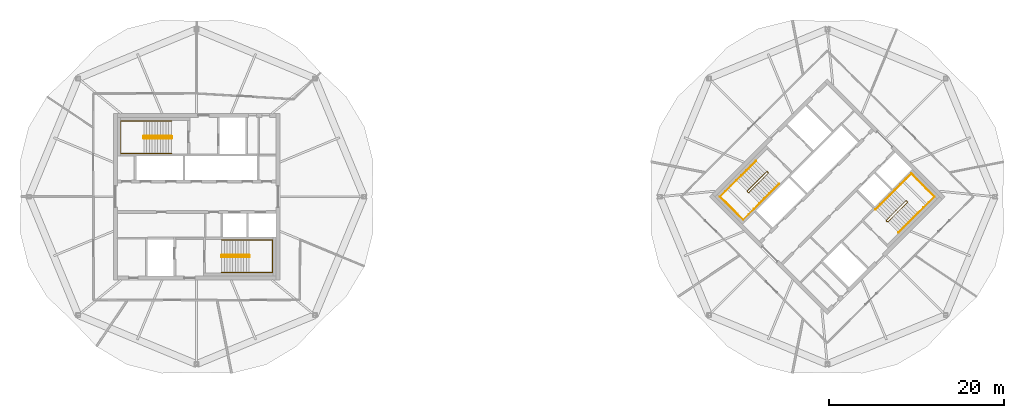
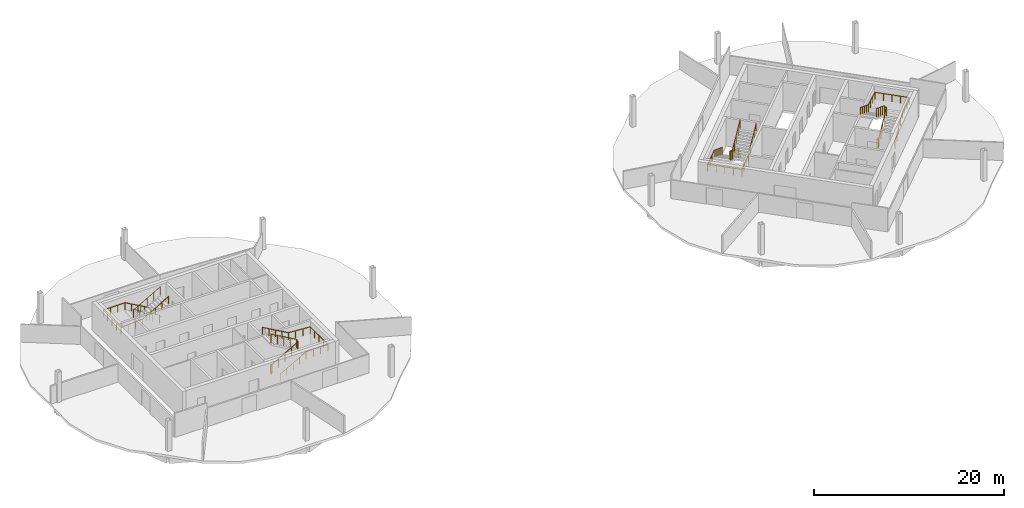
# One storey, part 10 of 10: 8 railings.
"""IFC4 building model written with IfcOpenShell, lengths in metres."""

from ifc_helpers import new_model, si_unit, direction, frame, origin, origin_2d, place, context, subcontext, project, spatial, circle, extrude, material, type_object, element, save


model = new_model("IFC4")

# Units and contexts
model_context = context("Model", 3, precision=1e-05, world=origin(), true_north=direction((0.0, 1.0)))
body_context = subcontext(model_context, "Body", "Model", "MODEL_VIEW")
ifc_project = project(units=[si_unit("LENGTHUNIT", "METRE"), si_unit("AREAUNIT", "SQUARE_METRE"), si_unit("VOLUMEUNIT", "CUBIC_METRE"), si_unit("PLANEANGLEUNIT", "RADIAN"), si_unit("MASSUNIT", "GRAM", prefix="KILO")], contexts=[model_context])

# Site, building, storey
site_placement = place(None, origin())
site = spatial("IfcSite", under=ifc_project, at=site_placement, CompositionType="ELEMENT")
building_placement = place(site_placement, origin())
building = spatial("IfcBuilding", under=site, at=building_placement, Name="Ogive Gate Towers", CompositionType="ELEMENT")
storey_placement = place(building_placement, frame((0.0, 0.0, 232.800048828125)))
storey = spatial("IfcBuildingStorey", under=building, at=storey_placement, Name="L55", CompositionType="ELEMENT", Elevation=232.800048828125)

# Railings
ifc_material = material(Name="Stainless steel", Category="steel")
railing_type_1 = type_object("IfcRailingType", Name="Stair guard 1100", PredefinedType="GUARDRAIL", material=ifc_material)
railing_1_placement = place(storey_placement, frame((-38.81494140625, 6.860107421875, 0.0)))
element("IfcRailing", 1, at=railing_1_placement, inside=storey, type_object=railing_type_1, Name="L55 ST1 stair guard 1", PredefinedType="GUARDRAIL", context=body_context, shape_type="SweptSolid", body=[
    extrude(circle(Radius=0.02392578125, at=origin_2d()), frame((0.0, 0.0, 1.076171875), z_axis=(0.0, -1.0, 0.0), x_axis=(1.0, 0.0, 0.0)), (0.0, 0.0, 1.0), 0.14501953125),
    extrude(circle(Radius=0.02392578125, at=origin_2d()), frame((0.0, -0.14501953125, 1.076171875), z_axis=(-0.186679794065, 0.726685247142, 0.661119660934), x_axis=(-0.968551454522, -0.24881334358, 0.0)), (0.0, 0.0, 1.0), 0.26806640625),
    extrude(circle(Radius=0.02392578125, at=origin_2d()), frame((-0.050048828125, 0.0498046875, 1.25341796875), z_axis=(-0.870572935281, 0.0, 0.492039393094), x_axis=(0.0, -1.0, 0.0)), (0.0, 0.0, 1.0), 3.602783203125),
    extrude(circle(Radius=0.02392578125, at=origin_2d()), frame((-3.1865234375, 0.0498046875, 3.02587890625), z_axis=(-0.707106781187, -0.707106781187, 0.0), x_axis=(0.707106781187, -0.707106781187, 0.0)), (0.0, 0.0, 1.0), 0.0703125),
    extrude(circle(Radius=0.02392578125, at=origin_2d()), frame((-3.236328125, 0.0, 3.02587890625), z_axis=(0.0, -1.0, 0.0), x_axis=(1.0, 0.0, 0.0)), (0.0, 0.0, 1.0), 0.14501953125),
    extrude(circle(Radius=0.02392578125, at=origin_2d()), frame((-3.236328125, -0.14501953125, 3.02587890625), z_axis=(0.261041864531, -0.262321481514, 0.929001929653), x_axis=(0.708833529934, 0.705375805398, 0.0)), (0.0, 0.0, 1.0), 0.190673828125),
    extrude(circle(Radius=0.02392578125, at=origin_2d()), frame((-3.1865234375, -0.195068359375, 3.203125), z_axis=(0.870572935281, 0.0, 0.492039393094), x_axis=(0.0, 1.0, 0.0)), (0.0, 0.0, 1.0), 3.602783203125),
    extrude(circle(Radius=0.02099609375, at=origin_2d()), origin(), (0.0, 0.0, 1.0), 1.052001953125),
    extrude(circle(Radius=0.02099609375, at=origin_2d()), frame((0.0, -0.14501953125, 0.0)), (0.0, 0.0, 1.0), 1.052001953125),
    extrude(circle(Radius=0.02099609375, at=origin_2d()), frame((-0.050048828125, 0.0498046875, 0.17724609375)), (0.0, 0.0, 1.0), 1.052001953125),
    extrude(circle(Radius=0.02099609375, at=origin_2d()), frame((-0.834228515625, 0.0498046875, 0.620361328125)), (0.0, 0.0, 1.0), 1.052001953125),
    extrude(circle(Radius=0.02099609375, at=origin_2d()), frame((-1.6181640625, 0.0498046875, 1.0634765625)), (0.0, 0.0, 1.0), 1.052001953125),
    extrude(circle(Radius=0.02099609375, at=origin_2d()), frame((-2.40234375, 0.0498046875, 1.5068359375)), (0.0, 0.0, 1.0), 1.052001953125),
    extrude(circle(Radius=0.02099609375, at=origin_2d()), frame((-3.1865234375, 0.0498046875, 1.949951171875)), (0.0, 0.0, 1.0), 1.052001953125),
    extrude(circle(Radius=0.02099609375, at=origin_2d()), frame((-3.236328125, 0.0, 1.949951171875)), (0.0, 0.0, 1.0), 1.052001953125),
    extrude(circle(Radius=0.02099609375, at=origin_2d()), frame((-3.236328125, -0.14501953125, 1.949951171875)), (0.0, 0.0, 1.0), 1.052001953125),
    extrude(circle(Radius=0.02099609375, at=origin_2d()), frame((-3.1865234375, -0.195068359375, 2.127197265625)), (0.0, 0.0, 1.0), 1.052001953125),
    extrude(circle(Radius=0.02099609375, at=origin_2d()), frame((-2.40234375, -0.195068359375, 2.5703125)), (0.0, 0.0, 1.0), 1.052001953125),
    extrude(circle(Radius=0.02099609375, at=origin_2d()), frame((-1.6181640625, -0.195068359375, 3.013671875)), (0.0, 0.0, 1.0), 1.052001953125),
    extrude(circle(Radius=0.02099609375, at=origin_2d()), frame((-0.834228515625, -0.195068359375, 3.456787109375)), (0.0, 0.0, 1.0), 1.052001953125),
    extrude(circle(Radius=0.02099609375, at=origin_2d()), frame((-0.050048828125, -0.195068359375, 3.89990234375)), (0.0, 0.0, 1.0), 1.052001953125),
])
railing_2_placement = place(storey_placement, frame((-33.18505859375, -6.860107421875, 0.0)))
element("IfcRailing", 2, at=railing_2_placement, inside=storey, type_object=railing_type_1, Name="L55 ST2 stair guard 1", PredefinedType="GUARDRAIL", context=body_context, shape_type="SweptSolid", body=[
    extrude(circle(Radius=0.02392578125, at=origin_2d()), frame((0.0, 0.0, 1.076171875), z_axis=(0.0, 1.0, 0.0), x_axis=(-1.0, 0.0, 0.0)), (0.0, 0.0, 1.0), 0.14501953125),
    extrude(circle(Radius=0.02392578125, at=origin_2d()), frame((0.0, 0.14501953125, 1.076171875), z_axis=(0.186679794065, -0.726685247142, 0.661119660934), x_axis=(0.968551454522, 0.24881334358, 0.0)), (0.0, 0.0, 1.0), 0.26806640625),
    extrude(circle(Radius=0.02392578125, at=origin_2d()), frame((0.050048828125, -0.0498046875, 1.25341796875), z_axis=(0.870572935281, 0.0, 0.492039393094), x_axis=(0.0, 1.0, 0.0)), (0.0, 0.0, 1.0), 3.602783203125),
    extrude(circle(Radius=0.02392578125, at=origin_2d()), frame((3.1865234375, -0.0498046875, 3.02587890625), z_axis=(0.707106781187, 0.707106781187, 0.0), x_axis=(-0.707106781187, 0.707106781187, 0.0)), (0.0, 0.0, 1.0), 0.0703125),
    extrude(circle(Radius=0.02392578125, at=origin_2d()), frame((3.236328125, 0.0, 3.02587890625), z_axis=(0.0, 1.0, 0.0), x_axis=(-1.0, 0.0, 0.0)), (0.0, 0.0, 1.0), 0.14501953125),
    extrude(circle(Radius=0.02392578125, at=origin_2d()), frame((3.236328125, 0.14501953125, 3.02587890625), z_axis=(-0.261041864531, 0.262321481514, 0.929001929653), x_axis=(-0.708833529934, -0.705375805398, 0.0)), (0.0, 0.0, 1.0), 0.190673828125),
    extrude(circle(Radius=0.02392578125, at=origin_2d()), frame((3.1865234375, 0.195068359375, 3.203125), z_axis=(-0.870572935281, 0.0, 0.492039393094), x_axis=(0.0, -1.0, 0.0)), (0.0, 0.0, 1.0), 3.602783203125),
    extrude(circle(Radius=0.02099609375, at=origin_2d()), origin(), (0.0, 0.0, 1.0), 1.052001953125),
    extrude(circle(Radius=0.02099609375, at=origin_2d()), frame((0.0, 0.14501953125, 0.0)), (0.0, 0.0, 1.0), 1.052001953125),
    extrude(circle(Radius=0.02099609375, at=origin_2d()), frame((0.050048828125, -0.0498046875, 0.17724609375)), (0.0, 0.0, 1.0), 1.052001953125),
    extrude(circle(Radius=0.02099609375, at=origin_2d()), frame((0.834228515625, -0.0498046875, 0.620361328125)), (0.0, 0.0, 1.0), 1.052001953125),
    extrude(circle(Radius=0.02099609375, at=origin_2d()), frame((1.6181640625, -0.0498046875, 1.0634765625)), (0.0, 0.0, 1.0), 1.052001953125),
    extrude(circle(Radius=0.02099609375, at=origin_2d()), frame((2.40234375, -0.0498046875, 1.5068359375)), (0.0, 0.0, 1.0), 1.052001953125),
    extrude(circle(Radius=0.02099609375, at=origin_2d()), frame((3.1865234375, -0.0498046875, 1.949951171875)), (0.0, 0.0, 1.0), 1.052001953125),
    extrude(circle(Radius=0.02099609375, at=origin_2d()), frame((3.236328125, 0.0, 1.949951171875)), (0.0, 0.0, 1.0), 1.052001953125),
    extrude(circle(Radius=0.02099609375, at=origin_2d()), frame((3.236328125, 0.14501953125, 1.949951171875)), (0.0, 0.0, 1.0), 1.052001953125),
    extrude(circle(Radius=0.02099609375, at=origin_2d()), frame((3.1865234375, 0.195068359375, 2.127197265625)), (0.0, 0.0, 1.0), 1.052001953125),
    extrude(circle(Radius=0.02099609375, at=origin_2d()), frame((2.40234375, 0.195068359375, 2.5703125)), (0.0, 0.0, 1.0), 1.052001953125),
    extrude(circle(Radius=0.02099609375, at=origin_2d()), frame((1.6181640625, 0.195068359375, 3.013671875)), (0.0, 0.0, 1.0), 1.052001953125),
    extrude(circle(Radius=0.02099609375, at=origin_2d()), frame((0.834228515625, 0.195068359375, 3.456787109375)), (0.0, 0.0, 1.0), 1.052001953125),
    extrude(circle(Radius=0.02099609375, at=origin_2d()), frame((0.050048828125, 0.195068359375, 3.89990234375)), (0.0, 0.0, 1.0), 1.052001953125),
])
railing_3_placement = place(storey_placement, frame((29.15869140625, 2.8603515625, 0.0)))
element("IfcRailing", 3, at=railing_3_placement, inside=storey, type_object=railing_type_1, Name="L55 ST1 stair guard 1", PredefinedType="GUARDRAIL", context=body_context, shape_type="SweptSolid", body=[
    extrude(circle(Radius=0.02392578125, at=origin_2d()), frame((0.0, 0.0, 1.076171875), z_axis=(0.707106781187, -0.707106781187, 0.0), x_axis=(0.707106781187, 0.707106781187, 0.0)), (0.0, 0.0, 1.0), 0.14501953125),
    extrude(circle(Radius=0.02392578125, at=origin_2d()), frame((0.1025390625, -0.1025390625, 1.076171875), z_axis=(-0.645571447971, 0.382425963537, 0.661050594114), x_axis=(-0.509669330572, -0.860370369942, 0.0)), (0.0, 0.0, 1.0), 0.26806640625),
    extrude(circle(Radius=0.02392578125, at=origin_2d()), frame((-0.070556640625, 0.0, 1.25341796875), z_axis=(-0.61558473135, -0.61558473135, 0.49204763698), x_axis=(0.707106781187, -0.707106781187, 0.0)), (0.0, 0.0, 1.0), 3.602783203125),
    extrude(circle(Radius=0.02392578125, at=origin_2d()), frame((-2.288330078125, -2.2177734375, 3.02587890625), z_axis=(0.0, -1.0, 0.0), x_axis=(1.0, 0.0, 0.0)), (0.0, 0.0, 1.0), 0.07080078125),
    extrude(circle(Radius=0.02392578125, at=origin_2d()), frame((-2.288330078125, -2.28857421875, 3.02587890625), z_axis=(0.707106781187, -0.707106781187, 0.0), x_axis=(0.707106781187, 0.707106781187, 0.0)), (0.0, 0.0, 1.0), 0.14501953125),
    extrude(circle(Radius=0.02392578125, at=origin_2d()), frame((-2.185791015625, -2.39111328125, 3.02587890625), z_axis=(0.369845645421, 0.0, 0.929093213065), x_axis=(0.0, 1.0, 0.0)), (0.0, 0.0, 1.0), 0.190673828125),
    extrude(circle(Radius=0.02392578125, at=origin_2d()), frame((-2.115234375, -2.39111328125, 3.203125), z_axis=(0.61558473135, 0.61558473135, 0.49204763698), x_axis=(-0.707106781187, 0.707106781187, 0.0)), (0.0, 0.0, 1.0), 3.602783203125),
    extrude(circle(Radius=0.02099609375, at=origin_2d()), origin(), (0.0, 0.0, 1.0), 1.052001953125),
    extrude(circle(Radius=0.02099609375, at=origin_2d()), frame((0.1025390625, -0.1025390625, 0.0)), (0.0, 0.0, 1.0), 1.052001953125),
    extrude(circle(Radius=0.02099609375, at=origin_2d()), frame((-0.070556640625, 0.0, 0.17724609375)), (0.0, 0.0, 1.0), 1.052001953125),
    extrude(circle(Radius=0.02099609375, at=origin_2d()), frame((-0.625, -0.554443359375, 0.620361328125)), (0.0, 0.0, 1.0), 1.052001953125),
    extrude(circle(Radius=0.02099609375, at=origin_2d()), frame((-1.179443359375, -1.10888671875, 1.0634765625)), (0.0, 0.0, 1.0), 1.052001953125),
    extrude(circle(Radius=0.02099609375, at=origin_2d()), frame((-1.73388671875, -1.663330078125, 1.5068359375)), (0.0, 0.0, 1.0), 1.052001953125),
    extrude(circle(Radius=0.02099609375, at=origin_2d()), frame((-2.288330078125, -2.2177734375, 1.949951171875)), (0.0, 0.0, 1.0), 1.052001953125),
    extrude(circle(Radius=0.02099609375, at=origin_2d()), frame((-2.288330078125, -2.28857421875, 1.949951171875)), (0.0, 0.0, 1.0), 1.052001953125),
    extrude(circle(Radius=0.02099609375, at=origin_2d()), frame((-2.185791015625, -2.39111328125, 1.949951171875)), (0.0, 0.0, 1.0), 1.052001953125),
    extrude(circle(Radius=0.02099609375, at=origin_2d()), frame((-2.115234375, -2.39111328125, 2.127197265625)), (0.0, 0.0, 1.0), 1.052001953125),
    extrude(circle(Radius=0.02099609375, at=origin_2d()), frame((-1.560791015625, -1.836669921875, 2.5703125)), (0.0, 0.0, 1.0), 1.052001953125),
    extrude(circle(Radius=0.02099609375, at=origin_2d()), frame((-1.00634765625, -1.2822265625, 3.013671875)), (0.0, 0.0, 1.0), 1.052001953125),
    extrude(circle(Radius=0.02099609375, at=origin_2d()), frame((-0.451904296875, -0.727783203125, 3.456787109375)), (0.0, 0.0, 1.0), 1.052001953125),
    extrude(circle(Radius=0.02099609375, at=origin_2d()), frame((0.1025390625, -0.17333984375, 3.89990234375)), (0.0, 0.0, 1.0), 1.052001953125),
])
railing_4_placement = place(storey_placement, frame((42.84130859375, -2.8603515625, 0.0)))
element("IfcRailing", 4, at=railing_4_placement, inside=storey, type_object=railing_type_1, Name="L55 ST2 stair guard 1", PredefinedType="GUARDRAIL", context=body_context, shape_type="SweptSolid", body=[
    extrude(circle(Radius=0.02392578125, at=origin_2d()), frame((0.0, 0.0, 1.076171875), z_axis=(-0.707106781187, 0.707106781187, 0.0), x_axis=(-0.707106781187, -0.707106781187, 0.0)), (0.0, 0.0, 1.0), 0.14501953125),
    extrude(circle(Radius=0.02392578125, at=origin_2d()), frame((-0.1025390625, 0.1025390625, 1.076171875), z_axis=(0.645571447971, -0.382425963537, 0.661050594114), x_axis=(0.509669330572, 0.860370369942, 0.0)), (0.0, 0.0, 1.0), 0.26806640625),
    extrude(circle(Radius=0.02392578125, at=origin_2d()), frame((0.070556640625, 0.0, 1.25341796875), z_axis=(0.61558473135, 0.61558473135, 0.49204763698), x_axis=(-0.707106781187, 0.707106781187, 0.0)), (0.0, 0.0, 1.0), 3.602783203125),
    extrude(circle(Radius=0.02392578125, at=origin_2d()), frame((2.288330078125, 2.2177734375, 3.02587890625), z_axis=(0.0, 1.0, 0.0), x_axis=(-1.0, 0.0, 0.0)), (0.0, 0.0, 1.0), 0.07080078125),
    extrude(circle(Radius=0.02392578125, at=origin_2d()), frame((2.288330078125, 2.28857421875, 3.02587890625), z_axis=(-0.707106781187, 0.707106781187, 0.0), x_axis=(-0.707106781187, -0.707106781187, 0.0)), (0.0, 0.0, 1.0), 0.14501953125),
    extrude(circle(Radius=0.02392578125, at=origin_2d()), frame((2.185791015625, 2.39111328125, 3.02587890625), z_axis=(-0.369845645421, 0.0, 0.929093213065), x_axis=(0.0, -1.0, 0.0)), (0.0, 0.0, 1.0), 0.190673828125),
    extrude(circle(Radius=0.02392578125, at=origin_2d()), frame((2.115234375, 2.39111328125, 3.203125), z_axis=(-0.61558473135, -0.61558473135, 0.49204763698), x_axis=(0.707106781187, -0.707106781187, 0.0)), (0.0, 0.0, 1.0), 3.602783203125),
    extrude(circle(Radius=0.02099609375, at=origin_2d()), origin(), (0.0, 0.0, 1.0), 1.052001953125),
    extrude(circle(Radius=0.02099609375, at=origin_2d()), frame((-0.1025390625, 0.1025390625, 0.0)), (0.0, 0.0, 1.0), 1.052001953125),
    extrude(circle(Radius=0.02099609375, at=origin_2d()), frame((0.070556640625, 0.0, 0.17724609375)), (0.0, 0.0, 1.0), 1.052001953125),
    extrude(circle(Radius=0.02099609375, at=origin_2d()), frame((0.625, 0.554443359375, 0.620361328125)), (0.0, 0.0, 1.0), 1.052001953125),
    extrude(circle(Radius=0.02099609375, at=origin_2d()), frame((1.179443359375, 1.10888671875, 1.0634765625)), (0.0, 0.0, 1.0), 1.052001953125),
    extrude(circle(Radius=0.02099609375, at=origin_2d()), frame((1.73388671875, 1.663330078125, 1.5068359375)), (0.0, 0.0, 1.0), 1.052001953125),
    extrude(circle(Radius=0.02099609375, at=origin_2d()), frame((2.288330078125, 2.2177734375, 1.949951171875)), (0.0, 0.0, 1.0), 1.052001953125),
    extrude(circle(Radius=0.02099609375, at=origin_2d()), frame((2.288330078125, 2.28857421875, 1.949951171875)), (0.0, 0.0, 1.0), 1.052001953125),
    extrude(circle(Radius=0.02099609375, at=origin_2d()), frame((2.185791015625, 2.39111328125, 1.949951171875)), (0.0, 0.0, 1.0), 1.052001953125),
    extrude(circle(Radius=0.02099609375, at=origin_2d()), frame((2.115234375, 2.39111328125, 2.127197265625)), (0.0, 0.0, 1.0), 1.052001953125),
    extrude(circle(Radius=0.02099609375, at=origin_2d()), frame((1.560791015625, 1.836669921875, 2.5703125)), (0.0, 0.0, 1.0), 1.052001953125),
    extrude(circle(Radius=0.02099609375, at=origin_2d()), frame((1.00634765625, 1.2822265625, 3.013671875)), (0.0, 0.0, 1.0), 1.052001953125),
    extrude(circle(Radius=0.02099609375, at=origin_2d()), frame((0.451904296875, 0.727783203125, 3.456787109375)), (0.0, 0.0, 1.0), 1.052001953125),
    extrude(circle(Radius=0.02099609375, at=origin_2d()), frame((-0.1025390625, 0.17333984375, 3.89990234375)), (0.0, 0.0, 1.0), 1.052001953125),
])
railing_type_2 = type_object("IfcRailingType", Name="Stair handrail 900", PredefinedType="HANDRAIL", material=ifc_material)
railing_5_placement = place(storey_placement, frame((-38.864990234375, 8.64990234375, 0.17724609375)))
element("IfcRailing", 5, at=railing_5_placement, inside=storey, type_object=railing_type_2, Name="L55 ST1 stair handrail 1", PredefinedType="HANDRAIL", context=body_context, shape_type="SweptSolid", body=[
    extrude(circle(Radius=0.02392578125, at=origin_2d()), frame((0.0, 0.0, 0.8759765625), z_axis=(-0.870572935281, 0.0, 0.492039393094), x_axis=(0.0, -1.0, 0.0)), (0.0, 0.0, 1.0), 3.602783203125),
    extrude(circle(Radius=0.02392578125, at=origin_2d()), frame((-3.136474609375, 0.0, 2.6484375), z_axis=(-1.0, 0.0, 0.0), x_axis=(0.0, -1.0, 0.0)), (0.0, 0.0, 1.0), 2.6484375),
    extrude(circle(Radius=0.02392578125, at=origin_2d()), frame((-5.784912109375, 0.0, 2.6484375), z_axis=(0.0, -1.0, 0.0), x_axis=(1.0, 0.0, 0.0)), (0.0, 0.0, 1.0), 3.724853515625),
    extrude(circle(Radius=0.02392578125, at=origin_2d()), frame((-5.784912109375, -3.724853515625, 2.6484375), z_axis=(0.997768031817, 0.0, 0.066775404784), x_axis=(0.0, 1.0, 0.0)), (0.0, 0.0, 1.0), 2.654296875),
    extrude(circle(Radius=0.02392578125, at=origin_2d()), frame((-3.136474609375, -3.724853515625, 2.82568359375), z_axis=(0.870572935281, 0.0, 0.492039393094), x_axis=(0.0, 1.0, 0.0)), (0.0, 0.0, 1.0), 3.602783203125),
    extrude(circle(Radius=0.02099609375, at=origin_2d()), origin(), (0.0, 0.0, 1.0), 0.851806640625),
    extrude(circle(Radius=0.02099609375, at=origin_2d()), frame((-0.7841796875, 0.0, 0.443115234375)), (0.0, 0.0, 1.0), 0.851806640625),
    extrude(circle(Radius=0.02099609375, at=origin_2d()), frame((-1.568359375, 0.0, 0.88623046875)), (0.0, 0.0, 1.0), 0.851806640625),
    extrude(circle(Radius=0.02099609375, at=origin_2d()), frame((-2.352294921875, 0.0, 1.32958984375)), (0.0, 0.0, 1.0), 0.851806640625),
    extrude(circle(Radius=0.02099609375, at=origin_2d()), frame((-3.136474609375, 0.0, 1.772705078125)), (0.0, 0.0, 1.0), 0.851806640625),
    extrude(circle(Radius=0.02099609375, at=origin_2d()), frame((-4.019287109375, 0.0, 1.772705078125)), (0.0, 0.0, 1.0), 0.851806640625),
    extrude(circle(Radius=0.02099609375, at=origin_2d()), frame((-4.902099609375, 0.0, 1.772705078125)), (0.0, 0.0, 1.0), 0.851806640625),
    extrude(circle(Radius=0.02099609375, at=origin_2d()), frame((-5.784912109375, 0.0, 1.772705078125)), (0.0, 0.0, 1.0), 0.851806640625),
    extrude(circle(Radius=0.02099609375, at=origin_2d()), frame((-5.784912109375, -0.93115234375, 1.772705078125)), (0.0, 0.0, 1.0), 0.851806640625),
    extrude(circle(Radius=0.02099609375, at=origin_2d()), frame((-5.784912109375, -1.8623046875, 1.772705078125)), (0.0, 0.0, 1.0), 0.851806640625),
    extrude(circle(Radius=0.02099609375, at=origin_2d()), frame((-5.784912109375, -2.793701171875, 1.772705078125)), (0.0, 0.0, 1.0), 0.851806640625),
    extrude(circle(Radius=0.02099609375, at=origin_2d()), frame((-5.784912109375, -3.724853515625, 1.772705078125)), (0.0, 0.0, 1.0), 0.851806640625),
    extrude(circle(Radius=0.02099609375, at=origin_2d()), frame((-4.902099609375, -3.724853515625, 1.831787109375)), (0.0, 0.0, 1.0), 0.851806640625),
    extrude(circle(Radius=0.02099609375, at=origin_2d()), frame((-4.019287109375, -3.724853515625, 1.890869140625)), (0.0, 0.0, 1.0), 0.851806640625),
    extrude(circle(Radius=0.02099609375, at=origin_2d()), frame((-3.136474609375, -3.724853515625, 1.949951171875)), (0.0, 0.0, 1.0), 0.851806640625),
    extrude(circle(Radius=0.02099609375, at=origin_2d()), frame((-2.352294921875, -3.724853515625, 2.39306640625)), (0.0, 0.0, 1.0), 0.851806640625),
    extrude(circle(Radius=0.02099609375, at=origin_2d()), frame((-1.568359375, -3.724853515625, 2.83642578125)), (0.0, 0.0, 1.0), 0.851806640625),
    extrude(circle(Radius=0.02099609375, at=origin_2d()), frame((-0.7841796875, -3.724853515625, 3.279541015625)), (0.0, 0.0, 1.0), 0.851806640625),
    extrude(circle(Radius=0.02099609375, at=origin_2d()), frame((0.0, -3.724853515625, 3.72265625)), (0.0, 0.0, 1.0), 0.851806640625),
])
railing_6_placement = place(storey_placement, frame((-33.135009765625, -8.64990234375, 0.17724609375)))
element("IfcRailing", 6, at=railing_6_placement, inside=storey, type_object=railing_type_2, Name="L55 ST2 stair handrail 1", PredefinedType="HANDRAIL", context=body_context, shape_type="SweptSolid", body=[
    extrude(circle(Radius=0.02392578125, at=origin_2d()), frame((0.0, 0.0, 0.8759765625), z_axis=(0.870572935281, 0.0, 0.492039393094), x_axis=(0.0, 1.0, 0.0)), (0.0, 0.0, 1.0), 3.602783203125),
    extrude(circle(Radius=0.02392578125, at=origin_2d()), frame((3.136474609375, 0.0, 2.6484375), z_axis=(1.0, 0.0, 0.0), x_axis=(0.0, 1.0, 0.0)), (0.0, 0.0, 1.0), 2.6484375),
    extrude(circle(Radius=0.02392578125, at=origin_2d()), frame((5.784912109375, 0.0, 2.6484375), z_axis=(0.0, 1.0, 0.0), x_axis=(-1.0, 0.0, 0.0)), (0.0, 0.0, 1.0), 3.724853515625),
    extrude(circle(Radius=0.02392578125, at=origin_2d()), frame((5.784912109375, 3.724853515625, 2.6484375), z_axis=(-0.997768031817, 0.0, 0.066775404784), x_axis=(0.0, -1.0, 0.0)), (0.0, 0.0, 1.0), 2.654296875),
    extrude(circle(Radius=0.02392578125, at=origin_2d()), frame((3.136474609375, 3.724853515625, 2.82568359375), z_axis=(-0.870572935281, 0.0, 0.492039393094), x_axis=(0.0, -1.0, 0.0)), (0.0, 0.0, 1.0), 3.602783203125),
    extrude(circle(Radius=0.02099609375, at=origin_2d()), origin(), (0.0, 0.0, 1.0), 0.851806640625),
    extrude(circle(Radius=0.02099609375, at=origin_2d()), frame((0.7841796875, 0.0, 0.443115234375)), (0.0, 0.0, 1.0), 0.851806640625),
    extrude(circle(Radius=0.02099609375, at=origin_2d()), frame((1.568359375, 0.0, 0.88623046875)), (0.0, 0.0, 1.0), 0.851806640625),
    extrude(circle(Radius=0.02099609375, at=origin_2d()), frame((2.352294921875, 0.0, 1.32958984375)), (0.0, 0.0, 1.0), 0.851806640625),
    extrude(circle(Radius=0.02099609375, at=origin_2d()), frame((3.136474609375, 0.0, 1.772705078125)), (0.0, 0.0, 1.0), 0.851806640625),
    extrude(circle(Radius=0.02099609375, at=origin_2d()), frame((4.019287109375, 0.0, 1.772705078125)), (0.0, 0.0, 1.0), 0.851806640625),
    extrude(circle(Radius=0.02099609375, at=origin_2d()), frame((4.902099609375, 0.0, 1.772705078125)), (0.0, 0.0, 1.0), 0.851806640625),
    extrude(circle(Radius=0.02099609375, at=origin_2d()), frame((5.784912109375, 0.0, 1.772705078125)), (0.0, 0.0, 1.0), 0.851806640625),
    extrude(circle(Radius=0.02099609375, at=origin_2d()), frame((5.784912109375, 0.93115234375, 1.772705078125)), (0.0, 0.0, 1.0), 0.851806640625),
    extrude(circle(Radius=0.02099609375, at=origin_2d()), frame((5.784912109375, 1.8623046875, 1.772705078125)), (0.0, 0.0, 1.0), 0.851806640625),
    extrude(circle(Radius=0.02099609375, at=origin_2d()), frame((5.784912109375, 2.793701171875, 1.772705078125)), (0.0, 0.0, 1.0), 0.851806640625),
    extrude(circle(Radius=0.02099609375, at=origin_2d()), frame((5.784912109375, 3.724853515625, 1.772705078125)), (0.0, 0.0, 1.0), 0.851806640625),
    extrude(circle(Radius=0.02099609375, at=origin_2d()), frame((4.902099609375, 3.724853515625, 1.831787109375)), (0.0, 0.0, 1.0), 0.851806640625),
    extrude(circle(Radius=0.02099609375, at=origin_2d()), frame((4.019287109375, 3.724853515625, 1.890869140625)), (0.0, 0.0, 1.0), 0.851806640625),
    extrude(circle(Radius=0.02099609375, at=origin_2d()), frame((3.136474609375, 3.724853515625, 1.949951171875)), (0.0, 0.0, 1.0), 0.851806640625),
    extrude(circle(Radius=0.02099609375, at=origin_2d()), frame((2.352294921875, 3.724853515625, 2.39306640625)), (0.0, 0.0, 1.0), 0.851806640625),
    extrude(circle(Radius=0.02099609375, at=origin_2d()), frame((1.568359375, 3.724853515625, 2.83642578125)), (0.0, 0.0, 1.0), 0.851806640625),
    extrude(circle(Radius=0.02099609375, at=origin_2d()), frame((0.7841796875, 3.724853515625, 3.279541015625)), (0.0, 0.0, 1.0), 0.851806640625),
    extrude(circle(Radius=0.02099609375, at=origin_2d()), frame((0.0, 3.724853515625, 3.72265625)), (0.0, 0.0, 1.0), 0.851806640625),
])
railing_7_placement = place(storey_placement, frame((27.857666015625, 4.090576171875, 0.17724609375)))
element("IfcRailing", 7, at=railing_7_placement, inside=storey, type_object=railing_type_2, Name="L55 ST1 stair handrail 1", PredefinedType="HANDRAIL", context=body_context, shape_type="SweptSolid", body=[
    extrude(circle(Radius=0.02392578125, at=origin_2d()), frame((0.0, 0.0, 0.8759765625), z_axis=(-0.61558473135, -0.61558473135, 0.49204763698), x_axis=(0.707106781187, -0.707106781187, 0.0)), (0.0, 0.0, 1.0), 3.602783203125),
    extrude(circle(Radius=0.02392578125, at=origin_2d()), frame((-2.2177734375, -2.2177734375, 2.6484375), z_axis=(-0.707106781187, -0.707106781187, 0.0), x_axis=(0.707106781187, -0.707106781187, 0.0)), (0.0, 0.0, 1.0), 2.6484375),
    extrude(circle(Radius=0.02392578125, at=origin_2d()), frame((-4.090576171875, -4.090576171875, 2.6484375), z_axis=(0.707106781187, -0.707106781187, 0.0), x_axis=(0.707106781187, 0.707106781187, 0.0)), (0.0, 0.0, 1.0), 3.72509765625),
    extrude(circle(Radius=0.02392578125, at=origin_2d()), frame((-1.45654296875, -6.724609375, 2.6484375), z_axis=(0.705482886452, 0.705574853978, 0.066768423356), x_axis=(-0.70715286629, 0.70706069308, 0.0)), (0.0, 0.0, 1.0), 2.654541015625),
    extrude(circle(Radius=0.02392578125, at=origin_2d()), frame((0.416259765625, -4.8515625, 2.82568359375), z_axis=(0.615610411033, 0.615542642384, 0.4920681632), x_axis=(-0.70706785752, 0.70714570271, 0.0)), (0.0, 0.0, 1.0), 3.6025390625),
    extrude(circle(Radius=0.02099609375, at=origin_2d()), origin(), (0.0, 0.0, 1.0), 0.851806640625),
    extrude(circle(Radius=0.02099609375, at=origin_2d()), frame((-0.554443359375, -0.554443359375, 0.443115234375)), (0.0, 0.0, 1.0), 0.851806640625),
    extrude(circle(Radius=0.02099609375, at=origin_2d()), frame((-1.10888671875, -1.10888671875, 0.88623046875)), (0.0, 0.0, 1.0), 0.851806640625),
    extrude(circle(Radius=0.02099609375, at=origin_2d()), frame((-1.663330078125, -1.663330078125, 1.32958984375)), (0.0, 0.0, 1.0), 0.851806640625),
    extrude(circle(Radius=0.02099609375, at=origin_2d()), frame((-2.2177734375, -2.2177734375, 1.772705078125)), (0.0, 0.0, 1.0), 0.851806640625),
    extrude(circle(Radius=0.02099609375, at=origin_2d()), frame((-2.842041015625, -2.842041015625, 1.772705078125)), (0.0, 0.0, 1.0), 0.851806640625),
    extrude(circle(Radius=0.02099609375, at=origin_2d()), frame((-3.46630859375, -3.46630859375, 1.772705078125)), (0.0, 0.0, 1.0), 0.851806640625),
    extrude(circle(Radius=0.02099609375, at=origin_2d()), frame((-4.090576171875, -4.090576171875, 1.772705078125)), (0.0, 0.0, 1.0), 0.851806640625),
    extrude(circle(Radius=0.02099609375, at=origin_2d()), frame((-3.43212890625, -4.7490234375, 1.772705078125)), (0.0, 0.0, 1.0), 0.851806640625),
    extrude(circle(Radius=0.02099609375, at=origin_2d()), frame((-2.7734375, -5.40771484375, 1.772705078125)), (0.0, 0.0, 1.0), 0.851806640625),
    extrude(circle(Radius=0.02099609375, at=origin_2d()), frame((-2.114990234375, -6.066162109375, 1.772705078125)), (0.0, 0.0, 1.0), 0.851806640625),
    extrude(circle(Radius=0.02099609375, at=origin_2d()), frame((-1.45654296875, -6.724609375, 1.772705078125)), (0.0, 0.0, 1.0), 0.851806640625),
    extrude(circle(Radius=0.02099609375, at=origin_2d()), frame((-0.832275390625, -6.100341796875, 1.831787109375)), (0.0, 0.0, 1.0), 0.851806640625),
    extrude(circle(Radius=0.02099609375, at=origin_2d()), frame((-0.2080078125, -5.475830078125, 1.890869140625)), (0.0, 0.0, 1.0), 0.851806640625),
    extrude(circle(Radius=0.02099609375, at=origin_2d()), frame((0.416259765625, -4.8515625, 1.949951171875)), (0.0, 0.0, 1.0), 0.851806640625),
    extrude(circle(Radius=0.02099609375, at=origin_2d()), frame((0.970703125, -4.297119140625, 2.39306640625)), (0.0, 0.0, 1.0), 0.851806640625),
    extrude(circle(Radius=0.02099609375, at=origin_2d()), frame((1.525146484375, -3.74267578125, 2.83642578125)), (0.0, 0.0, 1.0), 0.851806640625),
    extrude(circle(Radius=0.02099609375, at=origin_2d()), frame((2.07958984375, -3.1884765625, 3.279541015625)), (0.0, 0.0, 1.0), 0.851806640625),
    extrude(circle(Radius=0.02099609375, at=origin_2d()), frame((2.634033203125, -2.634033203125, 3.72265625)), (0.0, 0.0, 1.0), 0.851806640625),
])
railing_8_placement = place(storey_placement, frame((44.142333984375, -4.090576171875, 0.17724609375)))
element("IfcRailing", 8, at=railing_8_placement, inside=storey, type_object=railing_type_2, Name="L55 ST2 stair handrail 1", PredefinedType="HANDRAIL", context=body_context, shape_type="SweptSolid", body=[
    extrude(circle(Radius=0.02392578125, at=origin_2d()), frame((0.0, 0.0, 0.8759765625), z_axis=(0.61558473135, 0.61558473135, 0.49204763698), x_axis=(-0.707106781187, 0.707106781187, 0.0)), (0.0, 0.0, 1.0), 3.602783203125),
    extrude(circle(Radius=0.02392578125, at=origin_2d()), frame((2.2177734375, 2.2177734375, 2.6484375), z_axis=(0.707106781187, 0.707106781187, 0.0), x_axis=(-0.707106781187, 0.707106781187, 0.0)), (0.0, 0.0, 1.0), 2.6484375),
    extrude(circle(Radius=0.02392578125, at=origin_2d()), frame((4.090576171875, 4.090576171875, 2.6484375), z_axis=(-0.707106781187, 0.707106781187, 0.0), x_axis=(-0.707106781187, -0.707106781187, 0.0)), (0.0, 0.0, 1.0), 3.72509765625),
    extrude(circle(Radius=0.02392578125, at=origin_2d()), frame((1.45654296875, 6.724609375, 2.6484375), z_axis=(-0.705482886452, -0.705574853978, 0.066768423356), x_axis=(0.70715286629, -0.70706069308, 0.0)), (0.0, 0.0, 1.0), 2.654541015625),
    extrude(circle(Radius=0.02392578125, at=origin_2d()), frame((-0.416259765625, 4.8515625, 2.82568359375), z_axis=(-0.615610411033, -0.615542642384, 0.4920681632), x_axis=(0.70706785752, -0.70714570271, 0.0)), (0.0, 0.0, 1.0), 3.6025390625),
    extrude(circle(Radius=0.02099609375, at=origin_2d()), origin(), (0.0, 0.0, 1.0), 0.851806640625),
    extrude(circle(Radius=0.02099609375, at=origin_2d()), frame((0.554443359375, 0.554443359375, 0.443115234375)), (0.0, 0.0, 1.0), 0.851806640625),
    extrude(circle(Radius=0.02099609375, at=origin_2d()), frame((1.10888671875, 1.10888671875, 0.88623046875)), (0.0, 0.0, 1.0), 0.851806640625),
    extrude(circle(Radius=0.02099609375, at=origin_2d()), frame((1.663330078125, 1.663330078125, 1.32958984375)), (0.0, 0.0, 1.0), 0.851806640625),
    extrude(circle(Radius=0.02099609375, at=origin_2d()), frame((2.2177734375, 2.2177734375, 1.772705078125)), (0.0, 0.0, 1.0), 0.851806640625),
    extrude(circle(Radius=0.02099609375, at=origin_2d()), frame((2.842041015625, 2.842041015625, 1.772705078125)), (0.0, 0.0, 1.0), 0.851806640625),
    extrude(circle(Radius=0.02099609375, at=origin_2d()), frame((3.46630859375, 3.46630859375, 1.772705078125)), (0.0, 0.0, 1.0), 0.851806640625),
    extrude(circle(Radius=0.02099609375, at=origin_2d()), frame((4.090576171875, 4.090576171875, 1.772705078125)), (0.0, 0.0, 1.0), 0.851806640625),
    extrude(circle(Radius=0.02099609375, at=origin_2d()), frame((3.43212890625, 4.7490234375, 1.772705078125)), (0.0, 0.0, 1.0), 0.851806640625),
    extrude(circle(Radius=0.02099609375, at=origin_2d()), frame((2.7734375, 5.40771484375, 1.772705078125)), (0.0, 0.0, 1.0), 0.851806640625),
    extrude(circle(Radius=0.02099609375, at=origin_2d()), frame((2.114990234375, 6.066162109375, 1.772705078125)), (0.0, 0.0, 1.0), 0.851806640625),
    extrude(circle(Radius=0.02099609375, at=origin_2d()), frame((1.45654296875, 6.724609375, 1.772705078125)), (0.0, 0.0, 1.0), 0.851806640625),
    extrude(circle(Radius=0.02099609375, at=origin_2d()), frame((0.832275390625, 6.100341796875, 1.831787109375)), (0.0, 0.0, 1.0), 0.851806640625),
    extrude(circle(Radius=0.02099609375, at=origin_2d()), frame((0.2080078125, 5.475830078125, 1.890869140625)), (0.0, 0.0, 1.0), 0.851806640625),
    extrude(circle(Radius=0.02099609375, at=origin_2d()), frame((-0.416259765625, 4.8515625, 1.949951171875)), (0.0, 0.0, 1.0), 0.851806640625),
    extrude(circle(Radius=0.02099609375, at=origin_2d()), frame((-0.970703125, 4.297119140625, 2.39306640625)), (0.0, 0.0, 1.0), 0.851806640625),
    extrude(circle(Radius=0.02099609375, at=origin_2d()), frame((-1.525146484375, 3.74267578125, 2.83642578125)), (0.0, 0.0, 1.0), 0.851806640625),
    extrude(circle(Radius=0.02099609375, at=origin_2d()), frame((-2.07958984375, 3.1884765625, 3.279541015625)), (0.0, 0.0, 1.0), 0.851806640625),
    extrude(circle(Radius=0.02099609375, at=origin_2d()), frame((-2.634033203125, 2.634033203125, 3.72265625)), (0.0, 0.0, 1.0), 0.851806640625),
])

save(model, "model.ifc")
